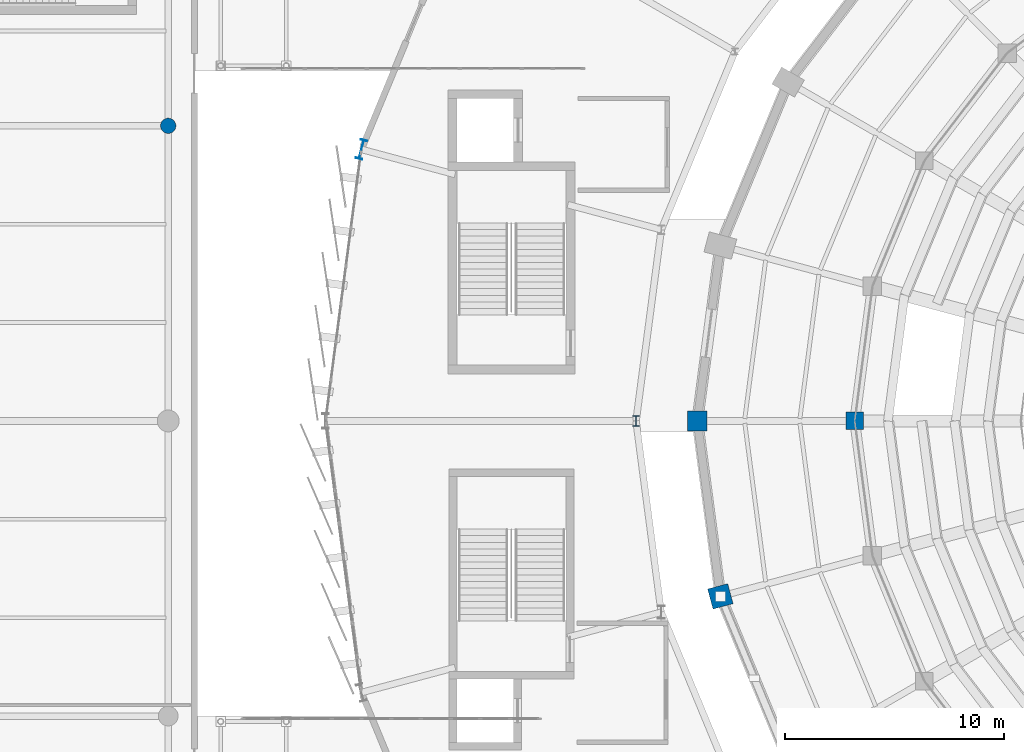
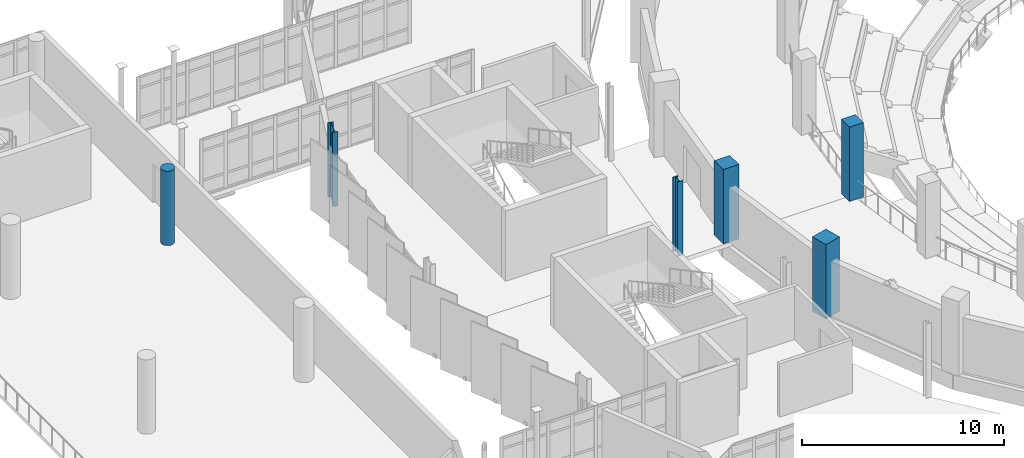
# One storey, part 11 of 134: 6 columns.
"""IFC4 building model written with IfcOpenShell, lengths in metres."""

from ifc_helpers import new_model, si_unit, direction, frame, origin, origin_2d, place, context, subcontext, project, spatial, rectangle, circle, i_section, extrude, material, material_profile, profile_set, type_object, element, save


model = new_model("IFC4")

# Units and contexts
model_context = context("Model", 3, precision=1e-05, world=origin(), true_north=direction((0.0, 1.0)))
body_context = subcontext(model_context, "Body", "Model", "MODEL_VIEW")
ifc_project = project(units=[si_unit("LENGTHUNIT", "METRE"), si_unit("AREAUNIT", "SQUARE_METRE"), si_unit("VOLUMEUNIT", "CUBIC_METRE"), si_unit("PLANEANGLEUNIT", "RADIAN"), si_unit("MASSUNIT", "GRAM", prefix="KILO")], contexts=[model_context])

# Site, building, storey
site_placement = place(None, origin())
site = spatial("IfcSite", under=ifc_project, at=site_placement, CompositionType="ELEMENT")
building_placement = place(site_placement, origin())
building = spatial("IfcBuilding", under=site, at=building_placement, Name="Sohan Crest Arena", CompositionType="ELEMENT")
storey_placement = place(building_placement, frame((0.0, 0.0, 4.5)))
storey = spatial("IfcBuildingStorey", under=building, at=storey_placement, Name="L01", CompositionType="ELEMENT", Elevation=4.5)

# Columns
ifc_material_1 = material(Name="Concrete C40/50", Category="concrete")
ifc_material_profile_1 = material_profile(ifc_material_1, rectangle(XDim=0.800048828125, YDim=0.800048828125, at=origin_2d()), Name="RC 800x800")
ifc_profile_set_1 = profile_set([ifc_material_profile_1], Name="Concrete C40/50")
column_type_1 = type_object("IfcColumnType", Name="STR-COL-C05", PredefinedType="COLUMN", material=ifc_profile_set_1)
column_1_placement = place(storey_placement, frame((74.199951171875, 78.0, 0.0), z_axis=(0.0, 0.0, 1.0), x_axis=(1.0, 0.0, 0.0)))
element("IfcColumn", 1, at=column_1_placement, inside=storey, type_object=column_type_1, Name="Structural column COL-V1M-07-L01", PredefinedType="COLUMN", context=body_context, shape_type="SweptSolid", body=[
    extrude(rectangle(XDim=0.800048828125, YDim=0.800048828125, at=origin_2d()), origin(), (0.0, 0.0, 1.0), 4.5),
])
ifc_material_profile_2 = material_profile(ifc_material_1, rectangle(XDim=0.89990234375, YDim=0.89990234375, at=origin_2d()), Name="RC 900x900")
ifc_profile_set_2 = profile_set([ifc_material_profile_2], Name="Concrete C40/50")
column_type_2 = type_object("IfcColumnType", Name="STR-COL-C07", PredefinedType="COLUMN", material=ifc_profile_set_2)
column_2_placement = place(storey_placement, frame((67.0, 78.0, 0.0), z_axis=(0.0, 0.0, 1.0), x_axis=(1.0, 0.0, 0.0)))
element("IfcColumn", 2, at=column_2_placement, inside=storey, type_object=column_type_2, Name="Structural column COL-V1R-07-L01", PredefinedType="COLUMN", context=body_context, shape_type="SweptSolid", body=[
    extrude(rectangle(XDim=0.89990234375, YDim=0.89990234375, at=origin_2d()), origin(), (0.0, 0.0, 1.0), 4.5),
])
ifc_material_profile_3 = material_profile(ifc_material_1, rectangle(XDim=0.949951171875, YDim=0.949951171875, at=origin_2d()), Name="RC 950x950")
ifc_profile_set_3 = profile_set([ifc_material_profile_3], Name="Concrete C40/50")
column_type_3 = type_object("IfcColumnType", Name="STR-COL-C08", PredefinedType="COLUMN", material=ifc_profile_set_3)
column_3_placement = place(storey_placement, frame((68.055908203125, 69.97705078125, 0.0), z_axis=(0.0, 0.0, 1.0), x_axis=(0.965925826289, 0.258819045103, 0.0)))
element("IfcColumn", 3, at=column_3_placement, inside=storey, type_object=column_type_3, Name="Structural column COL-V1R-08-L01", PredefinedType="COLUMN", context=body_context, shape_type="SweptSolid", body=[
    extrude(rectangle(XDim=0.949951171875, YDim=0.949951171875, at=origin_2d()), origin(), (0.0, 0.0, 1.0), 4.5),
])
ifc_material_profile_4 = material_profile(ifc_material_1, circle(Radius=0.35009765625, at=origin_2d()), Name="RC D700")
ifc_profile_set_4 = profile_set([ifc_material_profile_4], Name="Concrete C40/50")
column_type_4 = type_object("IfcColumnType", Name="STR-COL-C13", PredefinedType="COLUMN", material=ifc_profile_set_4)
column_4_placement = place(storey_placement, frame((42.800048828125, 91.5, 0.0), z_axis=(0.0, 0.0, 1.0), x_axis=(1.0, 0.0, 0.0)))
element("IfcColumn", 4, at=column_4_placement, inside=storey, type_object=column_type_4, Name="Structural column COL-V3C-44-L01", PredefinedType="COLUMN", context=body_context, shape_type="SweptSolid", body=[
    extrude(circle(Radius=0.35009765625, at=origin_2d()), origin(), (0.0, 0.0, 1.0), 4.5),
])
ifc_material_2 = material(Name="Steel S355", Category="steel")
ifc_material_profile_5 = material_profile(ifc_material_2, i_section(OverallWidth=0.300048828125, OverallDepth=0.5, WebThickness=0.014404296875, FlangeThickness=0.028076171875, at=origin_2d()), Name="HEB 500")
ifc_profile_set_5 = profile_set([ifc_material_profile_5], Name="Steel S355")
column_type_5 = type_object("IfcColumnType", Name="STR-COL-C19", PredefinedType="COLUMN", material=ifc_profile_set_5)
column_5_placement = place(storey_placement, frame((64.199951171875, 78.0, 0.0), z_axis=(0.0, 0.0, 1.0), x_axis=(1.0, 0.0, 0.0)))
element("IfcColumn", 5, at=column_5_placement, inside=storey, type_object=column_type_5, Name="Structural column COL-V2I-07-L01", PredefinedType="COLUMN", context=body_context, shape_type="SweptSolid", body=[
    extrude(i_section(OverallWidth=0.300048828125, OverallDepth=0.5, WebThickness=0.014404296875, FlangeThickness=0.028076171875, at=origin_2d()), origin(), (0.0, 0.0, 1.0), 4.5),
])
ifc_material_profile_6 = material_profile(ifc_material_2, i_section(OverallWidth=0.300048828125, OverallDepth=0.89990234375, WebThickness=0.0185546875, FlangeThickness=0.034912109375, at=origin_2d()), Name="HEB 900")
ifc_profile_set_6 = profile_set([ifc_material_profile_6], Name="Steel S355")
column_type_6 = type_object("IfcColumnType", Name="STR-COL-C23", PredefinedType="COLUMN", material=ifc_profile_set_6)
column_6_placement = place(storey_placement, frame((51.635986328125, 90.423095703125, 0.0), z_axis=(0.0, 0.0, 1.0), x_axis=(-0.965925826289, 0.258819045103, 0.0)))
element("IfcColumn", 6, at=column_6_placement, inside=storey, type_object=column_type_6, Name="Structural column COL-V2O-06-L01", PredefinedType="COLUMN", context=body_context, shape_type="SweptSolid", body=[
    extrude(i_section(OverallWidth=0.300048828125, OverallDepth=0.89990234375, WebThickness=0.0185546875, FlangeThickness=0.034912109375, at=origin_2d()), origin(), (0.0, 0.0, 1.0), 4.5),
])

save(model, "model.ifc")
